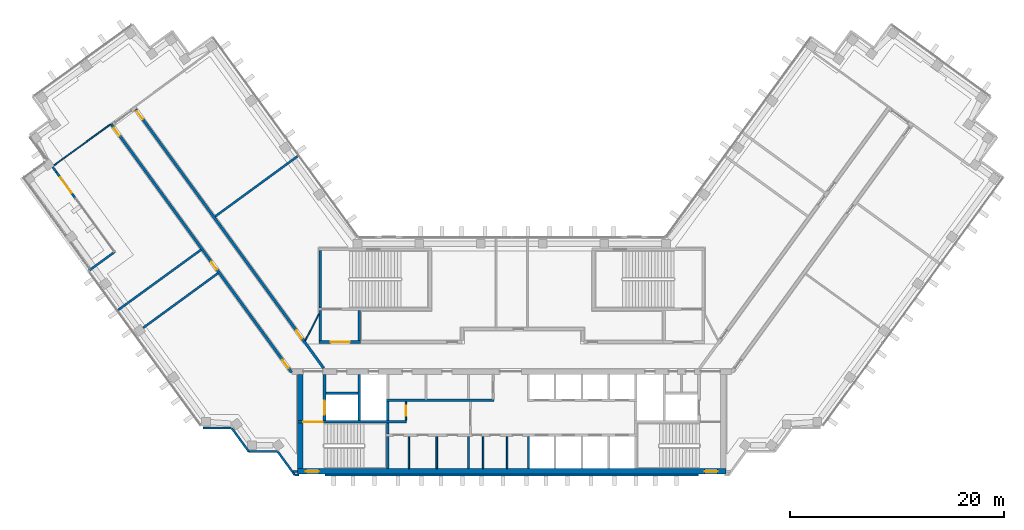
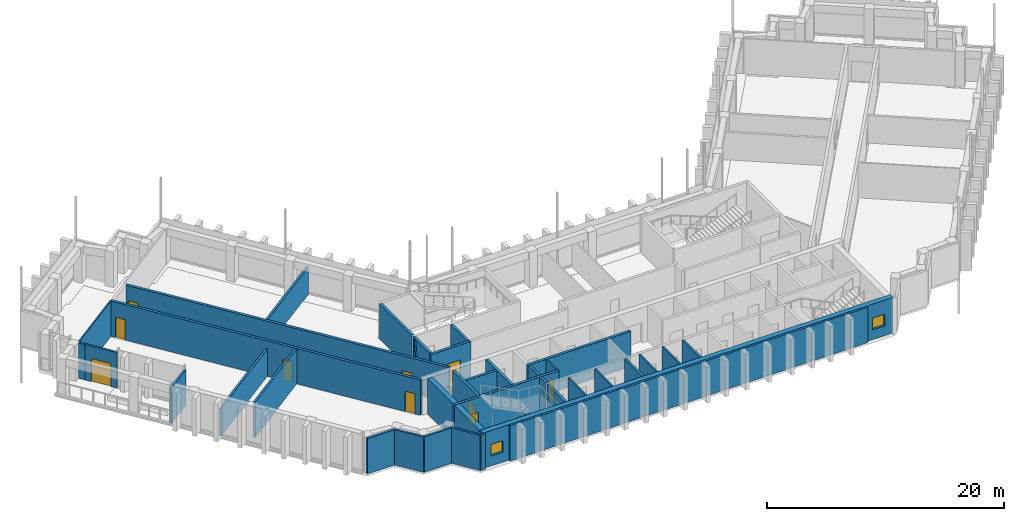
# One storey, part 7 of 13: 39 walls, 10 doors, 2 windows, 12 openings.
"""IFC4 building model written with IfcOpenShell, lengths in metres."""

from ifc_helpers import new_model, si_unit, direction, frame, frame_2d, origin, place, context, subcontext, project, spatial, rectangle, extrude, material, layer, layer_set, type_object, element, fill, save


model = new_model("IFC4")

# Units and contexts
model_context = context("Model", 3, precision=1e-05, world=origin(), true_north=direction((0.0, 1.0)))
body_context = subcontext(model_context, "Body", "Model", "MODEL_VIEW")
ifc_project = project(units=[si_unit("LENGTHUNIT", "METRE"), si_unit("AREAUNIT", "SQUARE_METRE"), si_unit("VOLUMEUNIT", "CUBIC_METRE"), si_unit("PLANEANGLEUNIT", "RADIAN"), si_unit("MASSUNIT", "GRAM", prefix="KILO")], contexts=[model_context])

# Site, building, storey
site_placement = place(None, origin())
site = spatial("IfcSite", under=ifc_project, at=site_placement, CompositionType="ELEMENT")
building_placement = place(site_placement, origin())
building = spatial("IfcBuilding", under=site, at=building_placement, Name="Quipu Civic Tower", CompositionType="ELEMENT")
storey_placement = place(building_placement, frame((0.0, 0.0, 148.0)))
storey = spatial("IfcBuildingStorey", under=building, at=storey_placement, Name="L34", CompositionType="ELEMENT", Elevation=148.0)

# Walls
ifc_material_1 = material(Name="Fired clay blockwork", Category="masonry")
ifc_layer_1 = layer(ifc_material_1, 0.199951171875)
ifc_layer_set_1 = layer_set([ifc_layer_1], Name="Fired clay blockwork")
wall_type_1 = type_object("IfcWallType", Name="Blockwork wall 200", PredefinedType="SOLIDWALL", material=ifc_layer_set_1)
wall_1_placement = place(storey_placement, frame((-27.676025390625, 13.031982421875, 0.0), z_axis=(0.0, 0.0, 1.0), x_axis=(0.807606997933, 0.589721067023, 0.0)))
element("IfcWall", 1, at=wall_1_placement, inside=storey, type_object=wall_type_1, Name="Partition P08", PredefinedType="SOLIDWALL", context=body_context, shape_type="SweptSolid", body=[
    extrude(rectangle(XDim=9.550048828125, YDim=0.199951171875, at=frame_2d((4.77490234375, 0.0))), origin(), (0.0, 0.0, 1.0), 2.85009765625),
])
wall_2_placement = place(storey_placement, frame((-36.807373046875, 4.247314453125, 0.0), z_axis=(0.0, 0.0, 1.0), x_axis=(0.809002920164, 0.587804623294, 0.0)))
element("IfcWall", 2, at=wall_2_placement, inside=storey, type_object=wall_type_1, Name="Partition P09", PredefinedType="SOLIDWALL", context=body_context, shape_type="SweptSolid", body=[
    extrude(rectangle(XDim=9.65087890625, YDim=0.199951171875, at=frame_2d((4.825439453125, 0.0))), origin(), (0.0, 0.0, 1.0), 2.85009765625),
])
wall_3_placement = place(storey_placement, frame((-34.39453125, 2.637939453125, 0.0), z_axis=(0.0, 0.0, 1.0), x_axis=(0.807657534767, 0.589651851973, 0.0)))
element("IfcWall", 3, at=wall_3_placement, inside=storey, type_object=wall_type_1, Name="Partition P12", PredefinedType="SOLIDWALL", context=body_context, shape_type="SweptSolid", body=[
    extrude(rectangle(XDim=8.644287109375, YDim=0.199951171875, at=frame_2d((4.322265625, 0.0))), origin(), (0.0, 0.0, 1.0), 3.64990234375),
])
ifc_material_2 = material(Name="Concrete C70/85", Category="concrete")
ifc_layer_2 = layer(ifc_material_2, 0.25)
ifc_layer_set_2 = layer_set([ifc_layer_2], Name="Concrete C70/85")
wall_type_2 = type_object("IfcWallType", Name="Core wall 250", PredefinedType="SHEAR", material=ifc_layer_set_2)
wall_4_placement = place(storey_placement, frame((-11.574951171875, -10.5, 0.0), z_axis=(0.0, 0.0, 1.0), x_axis=(0.0, 1.0, 0.0)))
element("IfcWall", 4, at=wall_4_placement, inside=storey, type_object=wall_type_2, Name="Core wall", PredefinedType="SHEAR", context=body_context, shape_type="SweptSolid", body=[
    extrude(rectangle(XDim=3.0, YDim=0.25, at=frame_2d((1.5, 0.0))), origin(), (0.0, 0.0, 1.0), 3.64990234375),
])
wall_5_placement = place(storey_placement, frame((-11.574951171875, -7.25, 0.0), z_axis=(0.0, 0.0, 1.0), x_axis=(0.0, 1.0, 0.0)))
element("IfcWall", 5, at=wall_5_placement, inside=storey, type_object=wall_type_2, Name="Core wall", PredefinedType="SHEAR", context=body_context, shape_type="SweptSolid", body=[
    extrude(rectangle(XDim=1.0, YDim=0.25, at=frame_2d((0.5, 0.0))), origin(), (0.0, 0.0, 1.0), 3.64990234375),
])

# Wall, opening, door
wall_6_placement = place(storey_placement, frame((-9.800048828125, -6.125, 0.0), z_axis=(0.0, 0.0, 1.0), x_axis=(-1.0, 0.0, 0.0)))
wall_6 = element("IfcWall", 6, at=wall_6_placement, inside=storey, type_object=wall_type_2, Name="Core wall", PredefinedType="SHEAR", context=body_context, shape_type="SweptSolid", body=[
    extrude(rectangle(XDim=10.199951171875, YDim=0.25, at=frame_2d((5.10009765625, 0.0))), origin(), (0.0, 0.0, 1.0), 3.64990234375),
])
opening_1_placement = place(wall_6_placement, frame((7.85009765625, 0.0, 0.0)))
opening_1 = element("IfcOpeningElement", 7, at=opening_1_placement, cuts=wall_6, Name="Opening CD-07", PredefinedType="OPENING", context=body_context, shape_type="SweptSolid", body=[
    extrude(rectangle(XDim=1.800048828125, YDim=2.10009765625, at=frame_2d((0.89990234375, 1.050048828125))), frame((0.0, 0.135009765625, 0.0), z_axis=(0.0, -1.0, 0.0), x_axis=(1.0, 0.0, 0.0)), (0.0, 0.0, 1.0), 0.27001953125),
])
ifc_material_3 = material(Name="Fire rated steel door", Category="steel")
door_type_1 = type_object("IfcDoorType", Name="Fire door FD90 double 1800 x 2100", OperationType="NOTDEFINED", PredefinedType="DOOR", material=ifc_material_3)
door_1_placement = place(opening_1_placement, origin())
door_1 = element("IfcDoor", 8, at=door_1_placement, inside=storey, type_object=door_type_1, Name="Door", OperationType="DOUBLE_DOOR_SINGLE_SWING", OverallHeight=2.10009765625, OverallWidth=1.800048828125, PredefinedType="DOOR", context=body_context, shape_type="SweptSolid", body=[
    extrude(rectangle(XDim=1.800048828125, YDim=2.10009765625, at=frame_2d((0.89990234375, 1.050048828125))), frame((0.0, 0.02490234375, 0.0), z_axis=(0.0, -1.0, 0.0), x_axis=(1.0, 0.0, 0.0)), (0.0, 0.0, 1.0), 0.050048828125),
])
fill(opening_1, door_1)

wall_7_placement = place(storey_placement, frame((-17.47509765625, -6.0, 0.0), z_axis=(0.0, 0.0, 1.0), x_axis=(0.0, 1.0, 0.0)))
wall_7 = element("IfcWall", 9, at=wall_7_placement, inside=storey, type_object=wall_type_2, Name="Core wall", PredefinedType="SHEAR", context=body_context, shape_type="SweptSolid", body=[
    extrude(rectangle(XDim=4.300048828125, YDim=0.25, at=frame_2d((2.14990234375, 0.0))), origin(), (0.0, 0.0, 1.0), 3.64990234375),
])
opening_2_placement = place(wall_7_placement, frame((0.550048828125, 0.0, 0.0)))
opening_2 = element("IfcOpeningElement", 10, at=opening_2_placement, cuts=wall_7, Name="Opening LD-FF1", PredefinedType="OPENING", context=body_context, shape_type="SweptSolid", body=[
    extrude(rectangle(XDim=1.300048828125, YDim=2.10009765625, at=frame_2d((0.64990234375, 1.050048828125))), frame((0.0, 0.135009765625, 0.0), z_axis=(0.0, -1.0, 0.0), x_axis=(1.0, 0.0, 0.0)), (0.0, 0.0, 1.0), 0.27001953125),
])
ifc_material_4 = material(Name="Stainless steel", Category="steel")
door_type_2 = type_object("IfcDoorType", Name="Lift landing door 1300 x 2100", OperationType="DOUBLE_DOOR_SLIDING", PredefinedType="DOOR", material=ifc_material_4)
door_2_placement = place(opening_2_placement, origin())
door_2 = element("IfcDoor", 11, at=door_2_placement, inside=storey, type_object=door_type_2, Name="Landing door FF1", OperationType="DOUBLE_DOOR_SLIDING", OverallHeight=2.10009765625, OverallWidth=1.300048828125, PredefinedType="DOOR", context=body_context, shape_type="SweptSolid", body=[
    extrude(rectangle(XDim=1.300048828125, YDim=2.10009765625, at=frame_2d((0.64990234375, 1.050048828125))), frame((0.0, 0.02490234375, 0.0), z_axis=(0.0, -1.0, 0.0), x_axis=(1.0, 0.0, 0.0)), (0.0, 0.0, 1.0), 0.050048828125),
])
fill(opening_2, door_2)

# Walls
wall_8_placement = place(storey_placement, frame((-14.22509765625, -6.0, 0.0), z_axis=(0.0, 0.0, 1.0), x_axis=(0.0, 1.0, 0.0)))
element("IfcWall", 12, at=wall_8_placement, inside=storey, type_object=wall_type_2, Name="Core wall", PredefinedType="SHEAR", context=body_context, shape_type="SweptSolid", body=[
    extrude(rectangle(XDim=4.300048828125, YDim=0.25, at=frame_2d((2.14990234375, 0.0))), origin(), (0.0, 0.0, 1.0), 3.64990234375),
])
wall_9_placement = place(storey_placement, frame((-11.574951171875, -6.0, 0.0), z_axis=(0.0, 0.0, 1.0), x_axis=(0.0, 1.0, 0.0)))
element("IfcWall", 13, at=wall_9_placement, inside=storey, type_object=wall_type_2, Name="Core wall", PredefinedType="SHEAR", context=body_context, shape_type="SweptSolid", body=[
    extrude(rectangle(XDim=1.75, YDim=0.25, at=frame_2d((0.875, 0.0))), origin(), (0.0, 0.0, 1.0), 3.64990234375),
])
wall_10_placement = place(storey_placement, frame((-11.699951171875, -4.125, 0.0), z_axis=(0.0, 0.0, 1.0), x_axis=(1.0, 0.0, 0.0)))
element("IfcWall", 14, at=wall_10_placement, inside=storey, type_object=wall_type_2, Name="Core wall", PredefinedType="SHEAR", context=body_context, shape_type="SweptSolid", body=[
    extrude(rectangle(XDim=10.050048828125, YDim=0.25, at=frame_2d((5.02490234375, 0.0))), origin(), (0.0, 0.0, 1.0), 3.64990234375),
])
wall_11_placement = place(storey_placement, frame((-17.35009765625, -3.47509765625, 0.0), z_axis=(0.0, 0.0, 1.0), x_axis=(1.0, 0.0, 0.0)))
element("IfcWall", 15, at=wall_11_placement, inside=storey, type_object=wall_type_2, Name="Core wall", PredefinedType="SHEAR", context=body_context, shape_type="SweptSolid", body=[
    extrude(rectangle(XDim=3.0, YDim=0.25, at=frame_2d((1.5, 0.0))), origin(), (0.0, 0.0, 1.0), 3.64990234375),
])

# Wall, opening, door
wall_12_placement = place(storey_placement, frame((-18.0, 1.324951171875, 0.0), z_axis=(0.0, 0.0, 1.0), x_axis=(1.0, 0.0, 0.0)))
wall_12 = element("IfcWall", 16, at=wall_12_placement, inside=storey, type_object=wall_type_2, Name="Core wall", PredefinedType="SHEAR", context=body_context, shape_type="SweptSolid", body=[
    extrude(rectangle(XDim=3.89990234375, YDim=0.25, at=frame_2d((1.949951171875, 0.0))), origin(), (0.0, 0.0, 1.0), 3.64990234375),
])
opening_3_placement = place(wall_12_placement, frame((1.10009765625, 0.0, 0.0)))
opening_3 = element("IfcOpeningElement", 17, at=opening_3_placement, cuts=wall_12, Name="Opening CD-22", PredefinedType="OPENING", context=body_context, shape_type="SweptSolid", body=[
    extrude(rectangle(XDim=1.800048828125, YDim=2.10009765625, at=frame_2d((0.89990234375, 1.050048828125))), frame((0.0, 0.135009765625, 0.0), z_axis=(0.0, -1.0, 0.0), x_axis=(1.0, 0.0, 0.0)), (0.0, 0.0, 1.0), 0.27001953125),
])
door_3_placement = place(opening_3_placement, origin())
door_3 = element("IfcDoor", 18, at=door_3_placement, inside=storey, type_object=door_type_1, Name="Lobby door", OperationType="DOUBLE_DOOR_SINGLE_SWING", OverallHeight=2.10009765625, OverallWidth=1.800048828125, PredefinedType="DOOR", context=body_context, shape_type="SweptSolid", body=[
    extrude(rectangle(XDim=1.800048828125, YDim=2.10009765625, at=frame_2d((0.89990234375, 1.050048828125))), frame((0.0, 0.02490234375, 0.0), z_axis=(0.0, -1.0, 0.0), x_axis=(1.0, 0.0, 0.0)), (0.0, 0.0, 1.0), 0.050048828125),
])
fill(opening_3, door_3)

# Walls
for number, where, z_axis, x_axis, name in (
    (19, (-17.875, 1.449951171875, 0.0), (0.0, 0.0, 1.0), (0.0, 1.0, 0.0), "Core wall"),
    (20, (-14.22509765625, 1.449951171875, 0.0), (0.0, 0.0, 1.0), (0.0, 1.0, 0.0), "Core wall"),
):
    element("IfcWall", number, at=place(storey_placement, frame(where, z_axis=z_axis, x_axis=x_axis)), inside=storey, type_object=wall_type_2, Name=name, PredefinedType="SHEAR", context=body_context, shape_type="SweptSolid", body=[
        extrude(rectangle(XDim=2.800048828125, YDim=0.25, at=frame_2d((1.39990234375, 0.0))), origin(), (0.0, 0.0, 1.0), 3.64990234375),
    ])
wall_13_placement = place(storey_placement, frame((-17.875, 4.5, 0.0), z_axis=(0.0, 0.0, 1.0), x_axis=(0.0, 1.0, 0.0)))
element("IfcWall", 21, at=wall_13_placement, inside=storey, type_object=wall_type_2, Name="Core wall", PredefinedType="SHEAR", context=body_context, shape_type="SweptSolid", body=[
    extrude(rectangle(XDim=5.35009765625, YDim=0.25, at=frame_2d((2.675048828125, 0.0))), origin(), (0.0, 0.0, 1.0), 3.64990234375),
])

# Wall, openings, windows
ifc_material_5 = material(Name="Concrete C70/85", Category="concrete")
ifc_layer_3 = layer(ifc_material_5, 0.5)
ifc_layer_set_3 = layer_set([ifc_layer_3], Name="Concrete C70/85")
wall_type_3 = type_object("IfcWallType", Name="Core wall 500", PredefinedType="SHEAR", material=ifc_layer_set_3)
wall_14_placement = place(storey_placement, frame((-20.0, -10.75, 0.0), z_axis=(0.0, 0.0, 1.0), x_axis=(1.0, 0.0, 0.0)))
wall_14 = element("IfcWall", 22, at=wall_14_placement, inside=storey, type_object=wall_type_3, Name="Core wall", PredefinedType="SHEAR", context=body_context, shape_type="SweptSolid", body=[
    extrude(rectangle(XDim=40.0, YDim=0.5, at=frame_2d((20.0, 0.0))), origin(), (0.0, 0.0, 1.0), 3.64990234375),
])
opening_4_placement = place(wall_14_placement, frame((0.800048828125, 0.0, 1.0)))
opening_4 = element("IfcOpeningElement", 23, at=opening_4_placement, cuts=wall_14, Name="Opening SV-1", PredefinedType="OPENING", context=body_context, shape_type="SweptSolid", body=[
    extrude(rectangle(XDim=1.199951171875, YDim=1.199951171875, at=frame_2d((0.60009765625, 0.60009765625))), frame((0.0, 0.260009765625, 0.0), z_axis=(0.0, -1.0, 0.0), x_axis=(1.0, 0.0, 0.0)), (0.0, 0.0, 1.0), 0.52001953125),
])
opening_5_placement = place(wall_14_placement, frame((38.0, 0.0, 1.0)))
opening_5 = element("IfcOpeningElement", 24, at=opening_5_placement, cuts=wall_14, Name="Opening SV-2", PredefinedType="OPENING", context=body_context, shape_type="SweptSolid", body=[
    extrude(rectangle(XDim=1.199951171875, YDim=1.199951171875, at=frame_2d((0.60009765625, 0.60009765625))), frame((0.0, 0.260009765625, 0.0), z_axis=(0.0, -1.0, 0.0), x_axis=(1.0, 0.0, 0.0)), (0.0, 0.0, 1.0), 0.52001953125),
])
ifc_material_6 = material(Name="Aluminium louvre", Category="aluminium")
window_type = type_object("IfcWindowType", Name="Stair ventilation louvre 1200 x 1200", PartitioningType="SINGLE_PANEL", PredefinedType="WINDOW", material=ifc_material_6)
window_1_placement = place(opening_4_placement, origin())
window_1 = element("IfcWindow", 25, at=window_1_placement, inside=storey, type_object=window_type, Name="Stair ventilation opening", OverallHeight=1.199951171875, OverallWidth=1.199951171875, PartitioningType="SINGLE_PANEL", PredefinedType="WINDOW", context=body_context, shape_type="SweptSolid", body=[
    extrude(rectangle(XDim=1.199951171875, YDim=1.199951171875, at=frame_2d((0.60009765625, 0.60009765625))), frame((0.0, 0.030029296875, 0.0), z_axis=(0.0, -1.0, 0.0), x_axis=(1.0, 0.0, 0.0)), (0.0, 0.0, 1.0), 0.06005859375),
])
fill(opening_4, window_1)
window_2_placement = place(opening_5_placement, origin())
window_2 = element("IfcWindow", 26, at=window_2_placement, inside=storey, type_object=window_type, Name="Stair ventilation opening", OverallHeight=1.199951171875, OverallWidth=1.199951171875, PartitioningType="SINGLE_PANEL", PredefinedType="WINDOW", context=body_context, shape_type="SweptSolid", body=[
    extrude(rectangle(XDim=1.199951171875, YDim=1.199951171875, at=frame_2d((0.60009765625, 0.60009765625))), frame((0.0, 0.030029296875, 0.0), z_axis=(0.0, -1.0, 0.0), x_axis=(1.0, 0.0, 0.0)), (0.0, 0.0, 1.0), 0.06005859375),
])
fill(opening_5, window_2)

# Walls
wall_15_placement = place(storey_placement, frame((-19.75, -10.5, 0.0), z_axis=(0.0, 0.0, 1.0), x_axis=(0.0, 1.0, 0.0)))
element("IfcWall", 27, at=wall_15_placement, inside=storey, type_object=wall_type_3, Name="Core wall", PredefinedType="SHEAR", context=body_context, shape_type="SweptSolid", body=[
    extrude(rectangle(XDim=4.25, YDim=0.5, at=frame_2d((2.125, 0.0))), origin(), (0.0, 0.0, 1.0), 3.64990234375),
])
wall_16_placement = place(storey_placement, frame((-19.75, -6.0, 0.0), z_axis=(0.0, 0.0, 1.0), x_axis=(0.0, 1.0, 0.0)))
element("IfcWall", 28, at=wall_16_placement, inside=storey, type_object=wall_type_3, Name="Core wall", PredefinedType="SHEAR", context=body_context, shape_type="SweptSolid", body=[
    extrude(rectangle(XDim=4.300048828125, YDim=0.5, at=frame_2d((2.14990234375, 0.0))), origin(), (0.0, 0.0, 1.0), 3.64990234375),
])

# Wall, openings, doors
ifc_material_7 = material(Name="Concrete C50/60", Category="concrete")
ifc_layer_4 = layer(ifc_material_7, 0.25)
ifc_layer_set_4 = layer_set([ifc_layer_4], Name="Concrete C50/60")
wall_type_4 = type_object("IfcWallType", Name="Corridor wall 250 concrete", PredefinedType="SOLIDWALL", material=ifc_layer_set_4)
wall_17_placement = place(storey_placement, frame((-20.531005859375, -1.5234375, 0.0), z_axis=(0.0, 0.0, 1.0), x_axis=(-0.587785812891, 0.809016587076, 0.0)))
wall_17 = element("IfcWall", 29, at=wall_17_placement, inside=storey, type_object=wall_type_4, Name="Corridor wall C04", PredefinedType="SOLIDWALL", context=body_context, shape_type="SweptSolid", body=[
    extrude(rectangle(XDim=28.67041015625, YDim=0.25, at=frame_2d((14.335205078125, 0.0))), origin(), (0.0, 0.0, 1.0), 3.64990234375),
])
opening_6_placement = place(wall_17_placement, frame((27.296142578125, 0.0, 0.0)))
opening_6 = element("IfcOpeningElement", 30, at=opening_6_placement, cuts=wall_17, Name="Opening D013", PredefinedType="OPENING", context=body_context, shape_type="SweptSolid", body=[
    extrude(rectangle(XDim=0.89990234375, YDim=2.10009765625, at=frame_2d((0.449951171875, 1.050048828125))), frame((0.0, 0.135009765625, 0.0), z_axis=(0.0, -1.0, 0.0), x_axis=(1.0, 0.0, 0.0)), (0.0, 0.0, 1.0), 0.27001953125),
])
opening_7_placement = place(wall_17_placement, frame((11.865966796875, 0.0, 0.0)))
opening_7 = element("IfcOpeningElement", 31, at=opening_7_placement, cuts=wall_17, Name="Opening D014", PredefinedType="OPENING", context=body_context, shape_type="SweptSolid", body=[
    extrude(rectangle(XDim=0.89990234375, YDim=2.10009765625, at=frame_2d((0.449951171875, 1.050048828125))), frame((0.0, 0.135009765625, 0.0), z_axis=(0.0, -1.0, 0.0), x_axis=(1.0, 0.0, 0.0)), (0.0, 0.0, 1.0), 0.27001953125),
])
opening_8_placement = place(wall_17_placement, frame((0.53271484375, 0.0, 0.0)))
opening_8 = element("IfcOpeningElement", 32, at=opening_8_placement, cuts=wall_17, Name="Opening D015", PredefinedType="OPENING", context=body_context, shape_type="SweptSolid", body=[
    extrude(rectangle(XDim=0.89990234375, YDim=2.10009765625, at=frame_2d((0.449951171875, 1.050048828125))), frame((0.0, 0.135009765625, 0.0), z_axis=(0.0, -1.0, 0.0), x_axis=(1.0, 0.0, 0.0)), (0.0, 0.0, 1.0), 0.27001953125),
])
ifc_material_8 = material(Name="Fire rated timber door set with metal frame", Category="wood")
door_type_3 = type_object("IfcDoorType", Name="Single door 900 x 2100 FD60", OperationType="NOTDEFINED", PredefinedType="DOOR", material=ifc_material_8)
door_4_placement = place(opening_6_placement, origin())
door_4 = element("IfcDoor", 33, at=door_4_placement, inside=storey, type_object=door_type_3, Name="Door D013", OperationType="SINGLE_SWING_RIGHT", OverallHeight=2.10009765625, OverallWidth=0.89990234375, PredefinedType="DOOR", context=body_context, shape_type="SweptSolid", body=[
    extrude(rectangle(XDim=0.89990234375, YDim=2.10009765625, at=frame_2d((0.449951171875, 1.050048828125))), frame((0.0, 0.02490234375, 0.0), z_axis=(0.0, -1.0, 0.0), x_axis=(1.0, 0.0, 0.0)), (0.0, 0.0, 1.0), 0.050048828125),
])
fill(opening_6, door_4)
door_5_placement = place(opening_7_placement, origin())
door_5 = element("IfcDoor", 34, at=door_5_placement, inside=storey, type_object=door_type_3, Name="Door D014", OperationType="SINGLE_SWING_LEFT", OverallHeight=2.10009765625, OverallWidth=0.89990234375, PredefinedType="DOOR", context=body_context, shape_type="SweptSolid", body=[
    extrude(rectangle(XDim=0.89990234375, YDim=2.10009765625, at=frame_2d((0.449951171875, 1.050048828125))), frame((0.0, 0.02490234375, 0.0), z_axis=(0.0, -1.0, 0.0), x_axis=(1.0, 0.0, 0.0)), (0.0, 0.0, 1.0), 0.050048828125),
])
fill(opening_7, door_5)
door_6_placement = place(opening_8_placement, origin())
door_6 = element("IfcDoor", 35, at=door_6_placement, inside=storey, type_object=door_type_3, Name="Door D015", OperationType="SINGLE_SWING_LEFT", OverallHeight=2.10009765625, OverallWidth=0.89990234375, PredefinedType="DOOR", context=body_context, shape_type="SweptSolid", body=[
    extrude(rectangle(XDim=0.89990234375, YDim=2.10009765625, at=frame_2d((0.449951171875, 1.050048828125))), frame((0.0, 0.02490234375, 0.0), z_axis=(0.0, -1.0, 0.0), x_axis=(1.0, 0.0, 0.0)), (0.0, 0.0, 1.0), 0.050048828125),
])
fill(opening_8, door_6)

wall_18_placement = place(storey_placement, frame((-35.092041015625, 23.02685546875, 0.0), z_axis=(0.0, 0.0, 1.0), x_axis=(0.587784076945, -0.809017848313, 0.0)))
wall_18 = element("IfcWall", 36, at=wall_18_placement, inside=storey, type_object=wall_type_4, Name="Corridor wall C06", PredefinedType="SOLIDWALL", context=body_context, shape_type="SweptSolid", body=[
    extrude(rectangle(XDim=29.85302734375, YDim=0.25, at=frame_2d((14.926513671875, 0.0))), origin(), (0.0, 0.0, 1.0), 3.64990234375),
])
opening_9_placement = place(wall_18_placement, frame((0.223876953125, 0.0, 0.0)))
opening_9 = element("IfcOpeningElement", 37, at=opening_9_placement, cuts=wall_18, Name="Opening D011", PredefinedType="OPENING", context=body_context, shape_type="SweptSolid", body=[
    extrude(rectangle(XDim=0.89990234375, YDim=2.10009765625, at=frame_2d((0.449951171875, 1.050048828125))), frame((0.0, 0.135009765625, 0.0), z_axis=(0.0, -1.0, 0.0), x_axis=(1.0, 0.0, 0.0)), (0.0, 0.0, 1.0), 0.27001953125),
])
opening_10_placement = place(wall_18_placement, frame((25.51171875, 0.0, 0.0)))
opening_10 = element("IfcOpeningElement", 38, at=opening_10_placement, cuts=wall_18, Name="Opening D012", PredefinedType="OPENING", context=body_context, shape_type="SweptSolid", body=[
    extrude(rectangle(XDim=0.89990234375, YDim=2.10009765625, at=frame_2d((0.449951171875, 1.050048828125))), frame((0.0, 0.135009765625, 0.0), z_axis=(0.0, -1.0, 0.0), x_axis=(1.0, 0.0, 0.0)), (0.0, 0.0, 1.0), 0.27001953125),
])
door_7_placement = place(opening_9_placement, origin())
door_7 = element("IfcDoor", 39, at=door_7_placement, inside=storey, type_object=door_type_3, Name="Door D011", OperationType="SINGLE_SWING_LEFT", OverallHeight=2.10009765625, OverallWidth=0.89990234375, PredefinedType="DOOR", context=body_context, shape_type="SweptSolid", body=[
    extrude(rectangle(XDim=0.89990234375, YDim=2.10009765625, at=frame_2d((0.449951171875, 1.050048828125))), frame((0.0, 0.02490234375, 0.0), z_axis=(0.0, -1.0, 0.0), x_axis=(1.0, 0.0, 0.0)), (0.0, 0.0, 1.0), 0.050048828125),
])
fill(opening_9, door_7)
door_8_placement = place(opening_10_placement, origin())
door_8 = element("IfcDoor", 40, at=door_8_placement, inside=storey, type_object=door_type_3, Name="Door D012", OperationType="SINGLE_SWING_RIGHT", OverallHeight=2.10009765625, OverallWidth=0.89990234375, PredefinedType="DOOR", context=body_context, shape_type="SweptSolid", body=[
    extrude(rectangle(XDim=0.89990234375, YDim=2.10009765625, at=frame_2d((0.449951171875, 1.050048828125))), frame((0.0, 0.02490234375, 0.0), z_axis=(0.0, -1.0, 0.0), x_axis=(1.0, 0.0, 0.0)), (0.0, 0.0, 1.0), 0.050048828125),
])
fill(opening_10, door_8)

# Walls
ifc_material_9 = material(Name="Gypsum plasterboard on light gauge framing")
ifc_layer_5 = layer(ifc_material_9, 0.1201171875)
ifc_layer_set_5 = layer_set([ifc_layer_5], Name="Gypsum plasterboard on light gauge framing")
wall_type_5 = type_object("IfcWallType", Name="Partition 120 plasterboard", PredefinedType="PARTITIONING", material=ifc_layer_set_5)
wall_19_placement = place(storey_placement, frame((-42.697998046875, 17.81005859375, 0.0), z_axis=(0.0, 0.0, 1.0), x_axis=(0.80901688725, 0.587785399737, 0.0)))
element("IfcWall", 41, at=wall_19_placement, inside=storey, type_object=wall_type_5, Name="Partition P02", PredefinedType="PARTITIONING", context=body_context, shape_type="SweptSolid", body=[
    extrude(rectangle(XDim=6.464599609375, YDim=0.1201171875, at=frame_2d((3.232421875, 0.0))), origin(), (0.0, 0.0, 1.0), 3.64990234375),
])
wall_20_placement = place(storey_placement, frame((-19.260986328125, 1.449951171875, 0.0), z_axis=(0.0, 0.0, 1.0), x_axis=(0.453950796792, 0.891026752736, 0.0)))
element("IfcWall", 42, at=wall_20_placement, inside=storey, type_object=wall_type_5, Name="Partition P15", PredefinedType="PARTITIONING", context=body_context, shape_type="SweptSolid", body=[
    extrude(rectangle(XDim=2.77783203125, YDim=0.1201171875, at=frame_2d((1.388916015625, 0.0))), origin(), (0.0, 0.0, 1.0), 3.64990234375),
])
ifc_material_10 = material(Name="Gypsum board partition")
ifc_layer_6 = layer(ifc_material_10, 0.14990234375)
ifc_layer_set_6 = layer_set([ifc_layer_6], Name="Gypsum board partition")
wall_type_6 = type_object("IfcWallType", Name="Partition 150", PredefinedType="PARTITIONING", material=ifc_layer_set_6)
for number, where, z_axis, x_axis, name in (
    (43, (-9.60009765625, -10.5, 0.0), (0.0, 0.0, 1.0), (0.0, 1.0, 0.0), "Partition"),
    (44, (-7.0, -10.5, 0.0), (0.0, 0.0, 1.0), (0.0, 1.0, 0.0), "Partition"),
    (45, (-2.675048828125, -10.5, 0.0), (0.0, 0.0, 1.0), (0.0, 1.0, 0.0), "Partition"),
    (46, (-0.425048828125, -10.5, 0.0), (0.0, 0.0, 1.0), (0.0, 1.0, 0.0), "Partition"),
):
    element("IfcWall", number, at=place(storey_placement, frame(where, z_axis=z_axis, x_axis=x_axis)), inside=storey, type_object=wall_type_6, Name=name, PredefinedType="PARTITIONING", context=body_context, shape_type="SweptSolid", body=[
        extrude(rectangle(XDim=3.0, YDim=0.14990234375, at=frame_2d((1.5, 0.0))), origin(), (0.0, 0.0, 1.0), 3.64990234375),
    ])

# Wall, opening, door
wall_21_placement = place(storey_placement, frame((-9.875, -4.25, 0.0), z_axis=(0.0, 0.0, 1.0), x_axis=(0.0, -1.0, 0.0)))
wall_21 = element("IfcWall", 47, at=wall_21_placement, inside=storey, type_object=wall_type_6, Name="Partition", PredefinedType="PARTITIONING", context=body_context, shape_type="SweptSolid", body=[
    extrude(rectangle(XDim=1.75, YDim=0.14990234375, at=frame_2d((0.875, 0.0))), origin(), (0.0, 0.0, 1.0), 3.64990234375),
])
opening_11_placement = place(wall_21_placement, frame((0.39990234375, 0.0, 0.0)))
opening_11 = element("IfcOpeningElement", 48, at=opening_11_placement, cuts=wall_21, Name="Opening CD-10", PredefinedType="OPENING", context=body_context, shape_type="SweptSolid", body=[
    extrude(rectangle(XDim=0.89990234375, YDim=2.10009765625, at=frame_2d((0.449951171875, 1.050048828125))), frame((0.0, 0.0849609375, 0.0), z_axis=(0.0, -1.0, 0.0), x_axis=(1.0, 0.0, 0.0)), (0.0, 0.0, 1.0), 0.169921875),
])
ifc_material_11 = material(Name="Fire rated steel door", Category="steel")
door_type_4 = type_object("IfcDoorType", Name="Fire door FD60 900 x 2100", OperationType="NOTDEFINED", PredefinedType="DOOR", material=ifc_material_11)
door_9_placement = place(opening_11_placement, origin())
door_9 = element("IfcDoor", 49, at=door_9_placement, inside=storey, type_object=door_type_4, Name="Door", OperationType="SINGLE_SWING_LEFT", OverallHeight=2.10009765625, OverallWidth=0.89990234375, PredefinedType="DOOR", context=body_context, shape_type="SweptSolid", body=[
    extrude(rectangle(XDim=0.89990234375, YDim=2.10009765625, at=frame_2d((0.449951171875, 1.050048828125))), frame((0.0, 0.02490234375, 0.0), z_axis=(0.0, -1.0, 0.0), x_axis=(1.0, 0.0, 0.0)), (0.0, 0.0, 1.0), 0.050048828125),
])
fill(opening_11, door_9)

# Walls
ifc_material_12 = material(Name="Precast concrete C40/50", Category="concrete")
wall_type_7 = type_object("IfcWallType", Name="Precast cladding wall", PredefinedType="SOLIDWALL", material=ifc_material_12)
wall_22_placement = place(storey_placement, frame((-37.0673828125, 9.710693359375, 0.0), z_axis=(0.0, 0.0, 1.0), x_axis=(-0.808999938455, -0.587808727036, 0.0)))
element("IfcWall", 50, at=wall_22_placement, inside=storey, type_object=wall_type_7, Name="Precast cladding wall L34 6", PredefinedType="SOLIDWALL", context=body_context, shape_type="SweptSolid", body=[
    extrude(rectangle(XDim=3.0, YDim=0.199951171875, at=frame_2d((1.5, 0.0))), origin(), (0.0, 0.0, 1.0), 3.64990234375),
])
wall_23_placement = place(storey_placement, frame((-28.829833984375, -6.71923828125, 0.0), z_axis=(0.0, 0.0, 1.0), x_axis=(1.0, 0.0, 0.0)))
element("IfcWall", 51, at=wall_23_placement, inside=storey, type_object=wall_type_7, Name="Precast cladding wall L34 P01", PredefinedType="SOLIDWALL", context=body_context, shape_type="SweptSolid", body=[
    extrude(rectangle(XDim=2.699951171875, YDim=0.199951171875, at=frame_2d((1.35009765625, 0.0))), origin(), (0.0, 0.0, 1.0), 3.64990234375),
])
wall_24_placement = place(storey_placement, frame((-26.1201171875, -6.72412109375, 0.0), z_axis=(0.0, 0.0, 1.0), x_axis=(0.587720002413, -0.809064397168, 0.0)))
element("IfcWall", 52, at=wall_24_placement, inside=storey, type_object=wall_type_7, Name="Precast cladding wall L34 P02", PredefinedType="SOLIDWALL", context=body_context, shape_type="SweptSolid", body=[
    extrude(rectangle(XDim=2.7001953125, YDim=0.199951171875, at=frame_2d((1.35009765625, 0.0))), origin(), (0.0, 0.0, 1.0), 3.64990234375),
])
wall_25_placement = place(storey_placement, frame((-24.542724609375, -8.90380859375, 0.0), z_axis=(0.0, 0.0, 1.0), x_axis=(1.0, 0.0, 0.0)))
element("IfcWall", 53, at=wall_25_placement, inside=storey, type_object=wall_type_7, Name="Precast cladding wall L34 P03", PredefinedType="SOLIDWALL", context=body_context, shape_type="SweptSolid", body=[
    extrude(rectangle(XDim=2.699951171875, YDim=0.199951171875, at=frame_2d((1.35009765625, 0.0))), origin(), (0.0, 0.0, 1.0), 3.64990234375),
])
wall_26_placement = place(storey_placement, frame((-21.8330078125, -8.90869140625, 0.0), z_axis=(0.0, 0.0, 1.0), x_axis=(0.587766567315, -0.809030569476, 0.0)))
element("IfcWall", 54, at=wall_26_placement, inside=storey, type_object=wall_type_7, Name="Precast cladding wall L34 P04", PredefinedType="SOLIDWALL", context=body_context, shape_type="SweptSolid", body=[
    extrude(rectangle(XDim=2.687744140625, YDim=0.199951171875, at=frame_2d((1.34375, 0.0))), origin(), (0.0, 0.0, 1.0), 3.64990234375),
])
wall_27_placement = place(storey_placement, frame((-20.255859375, -11.087890625, 0.0), z_axis=(0.0, 0.0, 1.0), x_axis=(1.0, 0.0, 0.0)))
element("IfcWall", 55, at=wall_27_placement, inside=storey, type_object=wall_type_7, Name="Precast cladding wall L34 P05", PredefinedType="SOLIDWALL", context=body_context, shape_type="SweptSolid", body=[
    extrude(rectangle(XDim=0.40576171875, YDim=0.199951171875, at=frame_2d((0.202880859375, 0.0))), origin(), (0.0, 0.0, 1.0), 3.64990234375),
])
wall_28_placement = place(storey_placement, frame((-17.44384765625, -11.087890625, 0.0), z_axis=(0.0, 0.0, 1.0), x_axis=(1.0, 0.0, 0.0)))
element("IfcWall", 56, at=wall_28_placement, inside=storey, type_object=wall_type_7, Name="Precast cladding wall L34 P06", PredefinedType="SOLIDWALL", context=body_context, shape_type="SweptSolid", body=[
    extrude(rectangle(XDim=34.8876953125, YDim=0.199951171875, at=frame_2d((17.44384765625, 0.0))), origin(), (0.0, 0.0, 1.0), 3.64990234375),
])
wall_29_placement = place(storey_placement, frame((-19.97998046875, -10.75, 0.0), z_axis=(0.0, 0.0, 1.0), x_axis=(-1.0, 0.0, 0.0)))
element("IfcWall", 57, at=wall_29_placement, inside=storey, type_object=wall_type_7, Name="Precast cladding return L34 W", PredefinedType="SOLIDWALL", context=body_context, shape_type="SweptSolid", body=[
    extrude(rectangle(XDim=0.41650390625, YDim=0.199951171875, at=frame_2d((0.208251953125, 0.0))), origin(), (0.0, 0.0, 1.0), 3.64990234375),
])

# Wall, opening, door
ifc_material_13 = material(Name="Precast concrete C40/50", Category="concrete")
wall_type_8 = type_object("IfcWallType", Name="Precast door surround", PredefinedType="SOLIDWALL", material=ifc_material_13)
wall_30_placement = place(storey_placement, frame((-40.718994140625, 14.736572265625, 0.0), z_axis=(0.0, 0.0, 1.0), x_axis=(-0.587808727036, 0.808999938455, 0.0)))
wall_30 = element("IfcWall", 58, at=wall_30_placement, inside=storey, type_object=wall_type_8, Name="Door surround ED-L34-1", PredefinedType="SOLIDWALL", context=body_context, shape_type="SweptSolid", body=[
    extrude(rectangle(XDim=3.0, YDim=0.199951171875, at=frame_2d((1.5, 0.0))), origin(), (0.0, 0.0, 1.0), 3.64990234375),
])
opening_12_placement = place(wall_30_placement, frame((0.60009765625, 0.0, 0.0)))
opening_12 = element("IfcOpeningElement", 59, at=opening_12_placement, cuts=wall_30, Name="Opening ED-L34-1", PredefinedType="OPENING", context=body_context, shape_type="SweptSolid", body=[
    extrude(rectangle(XDim=1.800048828125, YDim=2.39990234375, at=frame_2d((0.89990234375, 1.199951171875))), frame((0.0, 0.10986328125, 0.0), z_axis=(0.0, -1.0, 0.0), x_axis=(1.0, 0.0, 0.0)), (0.0, 0.0, 1.0), 0.219970703125),
])
ifc_material_14 = material(Name="Aluminium framed glazed door", Category="aluminium")
door_type_5 = type_object("IfcDoorType", Name="Terrace door E3", OperationType="DOUBLE_DOOR_SINGLE_SWING", PredefinedType="DOOR", material=ifc_material_14)
door_10_placement = place(opening_12_placement, origin())
door_10 = element("IfcDoor", 60, at=door_10_placement, inside=storey, type_object=door_type_5, Name="E3 door ED-L34-1", OperationType="DOUBLE_DOOR_SINGLE_SWING", OverallHeight=2.39990234375, OverallWidth=1.800048828125, PredefinedType="DOOR", context=body_context, shape_type="SweptSolid", body=[
    extrude(rectangle(XDim=1.800048828125, YDim=2.39990234375, at=frame_2d((0.89990234375, 1.199951171875))), frame((0.0, 0.02490234375, 0.0), z_axis=(0.0, -1.0, 0.0), x_axis=(1.0, 0.0, 0.0)), (0.0, 0.0, 1.0), 0.050048828125),
])
fill(opening_12, door_10)

# Walls
wall_31_placement = place(storey_placement, frame((-42.482421875, 17.163818359375, 0.0), z_axis=(0.0, 0.0, 1.0), x_axis=(-0.5878294574, 0.808984875639, 0.0)))
element("IfcWall", 61, at=wall_31_placement, inside=storey, type_object=wall_type_8, Name="Door surround ED-L34-1", PredefinedType="SOLIDWALL", context=body_context, shape_type="SweptSolid", body=[
    extrude(rectangle(XDim=0.593994140625, YDim=0.199951171875, at=frame_2d((0.296875, 0.0))), origin(), (0.0, 0.0, 1.0), 3.64990234375),
])
ifc_material_15 = material(Name="Concrete C40/50", Category="concrete")
ifc_layer_7 = layer(ifc_material_15, 0.199951171875)
ifc_layer_set_7 = layer_set([ifc_layer_7], Name="Concrete C40/50")
wall_type_9 = type_object("IfcWallType", Name="Shaft wall 200", PredefinedType="SOLIDWALL", material=ifc_layer_set_7)
for number, where, z_axis, x_axis, name in (
    (62, (-4.050048828125, -10.5, 0.0), (0.0, 0.0, 1.0), (0.0, 1.0, 0.0), "Shaft wall"),
    (63, (1.550048828125, -10.5, 0.0), (0.0, 0.0, 1.0), (0.0, 1.0, 0.0), "Shaft wall"),
):
    element("IfcWall", number, at=place(storey_placement, frame(where, z_axis=z_axis, x_axis=x_axis)), inside=storey, type_object=wall_type_9, Name=name, PredefinedType="SOLIDWALL", context=body_context, shape_type="SweptSolid", body=[
        extrude(rectangle(XDim=3.0, YDim=0.199951171875, at=frame_2d((1.5, 0.0))), origin(), (0.0, 0.0, 1.0), 3.64990234375),
    ])

save(model, "model.ifc")
